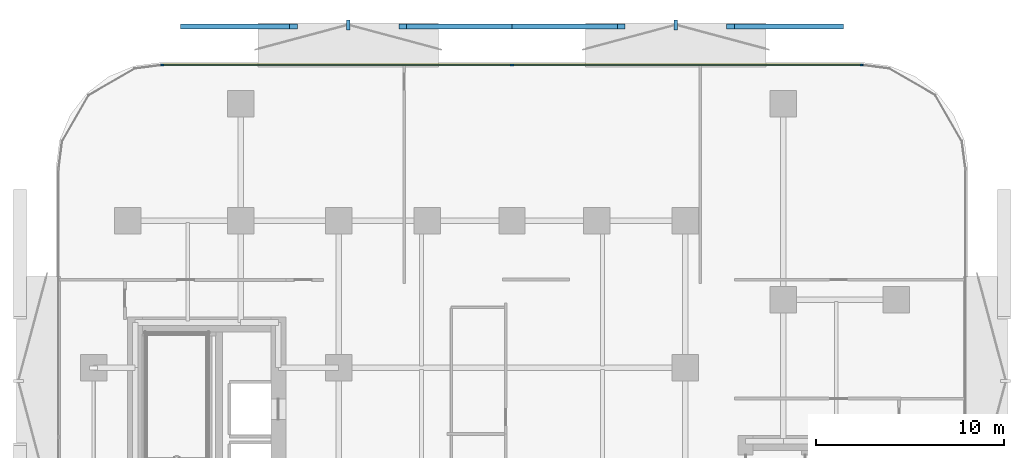
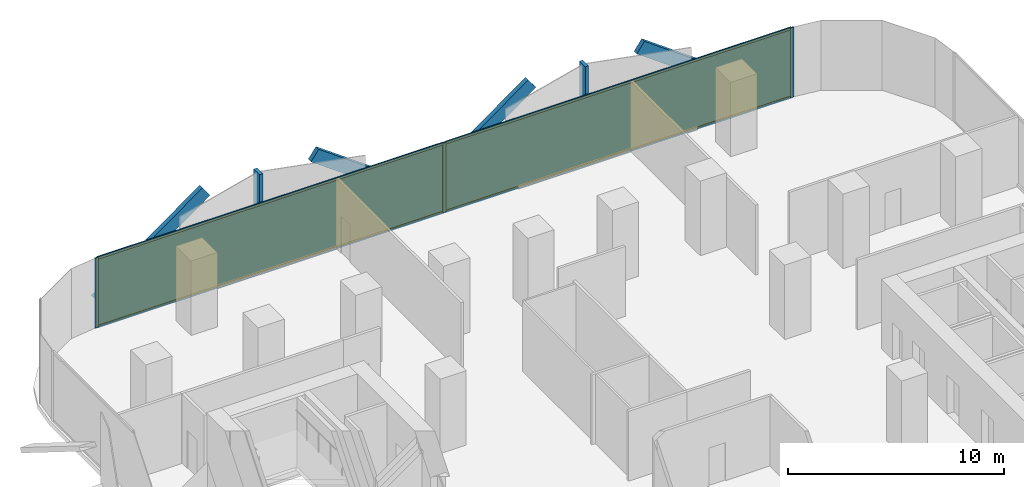
# One storey, part 10 of 15: 13 members, 2 plates, 1 curtain wall.
"""IFC4 building model written with IfcOpenShell, lengths in metres."""

from ifc_helpers import new_model, si_unit, direction, frame, frame_2d, origin, origin_2d, place, context, subcontext, project, spatial, rectangle, extrude, material, layer, layer_set, material_profile, profile_set, type_object, element, aggregate, save


model = new_model("IFC4")

# Units and contexts
model_context = context("Model", 3, precision=1e-05, world=origin(), true_north=direction((0.0, 1.0)))
body_context = subcontext(model_context, "Body", "Model", "MODEL_VIEW")
ifc_project = project(units=[si_unit("LENGTHUNIT", "METRE"), si_unit("AREAUNIT", "SQUARE_METRE"), si_unit("VOLUMEUNIT", "CUBIC_METRE"), si_unit("PLANEANGLEUNIT", "RADIAN"), si_unit("MASSUNIT", "GRAM", prefix="KILO")], contexts=[model_context])

# Member
ifc_material_1 = material(Name="Anodised Bronze Aluminium 6063-T6", Category="aluminium")
ifc_material_profile_1 = material_profile(ifc_material_1, rectangle(XDim=0.260009765625, YDim=0.699951171875, at=origin_2d()))
ifc_profile_set_1 = profile_set([ifc_material_profile_1], Name="Anodised Bronze Aluminium 6063-T6")
member_type_1 = type_object("IfcMemberType", Name="Bronze Diamond Solar-Screen Lattice Rib BDL-700", PredefinedType="MULLION", material=ifc_profile_set_1)
site_placement = place(None, origin())
building_placement = place(site_placement, origin())
storey_placement = place(building_placement, frame((0.0, 0.0, 38.60009765625)))
member_1_placement = place(storey_placement, frame((-17.390869140625, 28.89990234375, -0.130126953125), z_axis=(0.80979516686, 0.0, 0.58671269607), x_axis=(0.0, 1.0, 0.0)))
member_1 = element("IfcMember", 1, at=member_1_placement, type_object=member_type_1, Name="L09 Bronze Diamond Solar Screen Lattice Rib 29A", PredefinedType="MULLION", context=body_context, shape_type="SweptSolid", body=[
    extrude(rectangle(XDim=0.260009765625, YDim=0.699951171875, at=origin_2d()), origin(), (0.0, 0.0, 1.0), 7.158447265625),
])

member_2_placement = place(storey_placement, frame((0.0, 28.89990234375, -0.130126953125), z_axis=(-0.80979516686, 0.0, 0.58671269607), x_axis=(0.0, -1.0, 0.0)))
member_2 = element("IfcMember", 2, at=member_2_placement, type_object=member_type_1, Name="L09 Bronze Diamond Solar Screen Lattice Rib 29B", PredefinedType="MULLION", context=body_context, shape_type="SweptSolid", body=[
    extrude(rectangle(XDim=0.260009765625, YDim=0.699951171875, at=origin_2d()), origin(), (0.0, 0.0, 1.0), 7.158447265625),
])

member_3_placement = place(storey_placement, frame((0.0, 28.89990234375, -0.130126953125), z_axis=(0.80979516686, 0.0, 0.58671269607), x_axis=(0.0, 1.0, 0.0)))
member_3 = element("IfcMember", 3, at=member_3_placement, type_object=member_type_1, Name="L09 Bronze Diamond Solar Screen Lattice Rib 30A", PredefinedType="MULLION", context=body_context, shape_type="SweptSolid", body=[
    extrude(rectangle(XDim=0.260009765625, YDim=0.699951171875, at=origin_2d()), origin(), (0.0, 0.0, 1.0), 7.158447265625),
])

member_4_placement = place(storey_placement, frame((17.390869140625, 28.89990234375, -0.130126953125), z_axis=(-0.80979516686, 0.0, 0.58671269607), x_axis=(0.0, -1.0, 0.0)))
member_4 = element("IfcMember", 4, at=member_4_placement, type_object=member_type_1, Name="L09 Bronze Diamond Solar Screen Lattice Rib 30B", PredefinedType="MULLION", context=body_context, shape_type="SweptSolid", body=[
    extrude(rectangle(XDim=0.260009765625, YDim=0.699951171875, at=origin_2d()), origin(), (0.0, 0.0, 1.0), 7.158447265625),
])

ifc_material_2 = material(Name="Anodised Bronze Aluminium 6063-T6", Category="aluminium")
ifc_material_profile_2 = material_profile(ifc_material_2, rectangle(XDim=0.179931640625, YDim=0.5400390625, at=origin_2d()))
ifc_profile_set_2 = profile_set([ifc_material_profile_2], Name="Anodised Bronze Aluminium 6063-T6")
member_type_2 = type_object("IfcMemberType", Name="Bronze Solar-Screen Vertical Fold Fin BSF-540", PredefinedType="MULLION", material=ifc_profile_set_2)
member_5_placement = place(storey_placement, frame((-8.6953125, 28.97998046875, -0.130126953125), z_axis=(0.0, 0.0, 1.0), x_axis=(1.0, 0.0, 0.0)))
member_5 = element("IfcMember", 5, at=member_5_placement, type_object=member_type_2, Name="L09 Bronze Solar Screen Vertical Fin 29", PredefinedType="MULLION", context=body_context, shape_type="SweptSolid", body=[
    extrude(rectangle(XDim=0.179931640625, YDim=0.5400390625, at=origin_2d()), origin(), (0.0, 0.0, 1.0), 4.199951171875),
])

member_6_placement = place(storey_placement, frame((8.6953125, 28.97998046875, -0.130126953125), z_axis=(0.0, 0.0, 1.0), x_axis=(1.0, 0.0, 0.0)))
member_6 = element("IfcMember", 6, at=member_6_placement, type_object=member_type_2, Name="L09 Bronze Solar Screen Vertical Fin 30", PredefinedType="MULLION", context=body_context, shape_type="SweptSolid", body=[
    extrude(rectangle(XDim=0.179931640625, YDim=0.5400390625, at=origin_2d()), origin(), (0.0, 0.0, 1.0), 4.199951171875),
])

ifc_material_3 = material(Name="Anodised Bronze Aluminium 6063-T6", Category="aluminium")
ifc_material_profile_3 = material_profile(ifc_material_3, rectangle(XDim=0.06494140625, YDim=0.179931640625, at=origin_2d()))
ifc_profile_set_3 = profile_set([ifc_material_profile_3], Name="Anodised Bronze Aluminium 6063-T6")
member_type_3 = type_object("IfcMemberType", Name="CW-Z1 Mullion 65x180", PredefinedType="MULLION", material=ifc_profile_set_3)
member_7_placement = place(storey_placement, frame((-18.558349609375, 26.860107421875, 0.0), z_axis=(0.0, 0.0, 1.0), x_axis=(0.0, 1.0, 0.0)))
member_7 = element("IfcMember", 7, at=member_7_placement, type_object=member_type_3, Name="CW-Z1 mullion 1", PredefinedType="MULLION", context=body_context, shape_type="SweptSolid", body=[
    extrude(rectangle(XDim=0.06494140625, YDim=0.179931640625, at=origin_2d()), origin(), (0.0, 0.0, 1.0), 3.93994140625),
])

member_8_placement = place(storey_placement, frame((0.0, 26.860107421875, 0.0), z_axis=(0.0, 0.0, 1.0), x_axis=(0.0, 1.0, 0.0)))
member_8 = element("IfcMember", 8, at=member_8_placement, type_object=member_type_3, Name="CW-Z1 mullion 2", PredefinedType="MULLION", context=body_context, shape_type="SweptSolid", body=[
    extrude(rectangle(XDim=0.06494140625, YDim=0.179931640625, at=origin_2d()), origin(), (0.0, 0.0, 1.0), 3.93994140625),
])

member_9_placement = place(storey_placement, frame((18.558349609375, 26.860107421875, 0.0), z_axis=(0.0, 0.0, 1.0), x_axis=(0.0, 1.0, 0.0)))
member_9 = element("IfcMember", 9, at=member_9_placement, type_object=member_type_3, Name="CW-Z1 mullion 3", PredefinedType="MULLION", context=body_context, shape_type="SweptSolid", body=[
    extrude(rectangle(XDim=0.06494140625, YDim=0.179931640625, at=origin_2d()), origin(), (0.0, 0.0, 1.0), 3.93994140625),
])

ifc_material_4 = material(Name="Anodised Bronze Aluminium 6063-T6", Category="aluminium")
ifc_material_profile_4 = material_profile(ifc_material_4, rectangle(XDim=0.06494140625, YDim=0.139892578125, at=origin_2d()))
ifc_profile_set_4 = profile_set([ifc_material_profile_4], Name="Anodised Bronze Aluminium 6063-T6")
member_type_4 = type_object("IfcMemberType", Name="CW-Z1 Transom 65x140", PredefinedType="USERDEFINED", material=ifc_profile_set_4)
member_10_placement = place(storey_placement, frame((-18.52587890625, 26.860107421875, 0.032470703125), z_axis=(1.0, 0.0, 0.0), x_axis=(0.0, 1.0, 0.0)))
member_10 = element("IfcMember", 10, at=member_10_placement, type_object=member_type_4, Name="CW-Z1 transom 1.1", ObjectType="TRANSOM", PredefinedType="USERDEFINED", context=body_context, shape_type="SweptSolid", body=[
    extrude(rectangle(XDim=0.06494140625, YDim=0.139892578125, at=origin_2d()), origin(), (0.0, 0.0, 1.0), 18.493408203125),
])

member_11_placement = place(storey_placement, frame((-18.52587890625, 26.860107421875, 3.907470703125), z_axis=(1.0, 0.0, 0.0), x_axis=(0.0, 1.0, 0.0)))
member_11 = element("IfcMember", 11, at=member_11_placement, type_object=member_type_4, Name="CW-Z1 transom 1.2", ObjectType="TRANSOM", PredefinedType="USERDEFINED", context=body_context, shape_type="SweptSolid", body=[
    extrude(rectangle(XDim=0.06494140625, YDim=0.139892578125, at=origin_2d()), origin(), (0.0, 0.0, 1.0), 18.493408203125),
])

member_12_placement = place(storey_placement, frame((0.032470703125, 26.860107421875, 0.032470703125), z_axis=(1.0, 0.0, 0.0), x_axis=(0.0, 1.0, 0.0)))
member_12 = element("IfcMember", 12, at=member_12_placement, type_object=member_type_4, Name="CW-Z1 transom 2.1", ObjectType="TRANSOM", PredefinedType="USERDEFINED", context=body_context, shape_type="SweptSolid", body=[
    extrude(rectangle(XDim=0.06494140625, YDim=0.139892578125, at=origin_2d()), origin(), (0.0, 0.0, 1.0), 18.493408203125),
])

member_13_placement = place(storey_placement, frame((0.032470703125, 26.860107421875, 3.907470703125), z_axis=(1.0, 0.0, 0.0), x_axis=(0.0, 1.0, 0.0)))
member_13 = element("IfcMember", 13, at=member_13_placement, type_object=member_type_4, Name="CW-Z1 transom 2.2", ObjectType="TRANSOM", PredefinedType="USERDEFINED", context=body_context, shape_type="SweptSolid", body=[
    extrude(rectangle(XDim=0.06494140625, YDim=0.139892578125, at=origin_2d()), origin(), (0.0, 0.0, 1.0), 18.493408203125),
])

# Plate
ifc_material_5 = material(Name="Low-E Solar Control Laminated Glass", Category="glass")
ifc_layer_1 = layer(ifc_material_5, 0.028076171875, Name="Low-E Solar Control Laminated Glass")
ifc_layer_set_1 = layer_set([ifc_layer_1], Name="Low-E Solar Control Laminated Glass")
plate_type = type_object("IfcPlateType", Name="CW-Z1 Low-E Double Glazed Panel 28mm", PredefinedType="CURTAIN_PANEL", material=ifc_layer_set_1)
plate_1_placement = place(storey_placement, frame((-9.279052734375, 26.860107421875, 0.06494140625), z_axis=(0.0, 0.0, 1.0), x_axis=(1.0, 0.0, 0.0)))
plate_1 = element("IfcPlate", 14, at=plate_1_placement, type_object=plate_type, Name="CW-Z1 panel 1.1", PredefinedType="CURTAIN_PANEL", context=body_context, shape_type="SweptSolid", body=[
    extrude(rectangle(XDim=18.493408203125, YDim=0.028076171875, at=origin_2d()), origin(), (0.0, 0.0, 1.0), 3.81005859375),
])

plate_2_placement = place(storey_placement, frame((9.279052734375, 26.860107421875, 0.06494140625), z_axis=(0.0, 0.0, 1.0), x_axis=(1.0, 0.0, 0.0)))
plate_2 = element("IfcPlate", 15, at=plate_2_placement, type_object=plate_type, Name="CW-Z1 panel 2.1", PredefinedType="CURTAIN_PANEL", context=body_context, shape_type="SweptSolid", body=[
    extrude(rectangle(XDim=18.493408203125, YDim=0.028076171875, at=origin_2d()), origin(), (0.0, 0.0, 1.0), 3.81005859375),
])

# Site, building, storey
site = spatial("IfcSite", under=ifc_project, at=site_placement, CompositionType="ELEMENT")
building = spatial("IfcBuilding", under=site, at=building_placement, Name="Khairoan Windgate Tower", CompositionType="ELEMENT")
storey = spatial("IfcBuildingStorey", under=building, at=storey_placement, Name="L09", CompositionType="ELEMENT", Elevation=38.60009765625)

# Curtain wall
ifc_material_6 = material(Name="Anodised Bronze Aluminium 6063-T6", Category="aluminium")
ifc_layer_2 = layer(ifc_material_6, 0.179931640625, Name="Anodised Bronze Aluminium 6063-T6")
ifc_layer_set_2 = layer_set([ifc_layer_2], Name="Anodised Bronze Aluminium 6063-T6")
curtain_wall_type = type_object("IfcCurtainWallType", Name="Low-Rise Office Unitised Curtain Wall CW-Z1", PredefinedType="NOTDEFINED", material=ifc_layer_set_2)
curtain_wall_placement = place(storey_placement, frame((-18.5908203125, 26.860107421875, 0.0), z_axis=(0.0, 0.0, 1.0), x_axis=(1.0, 0.0, 0.0)))
curtain_wall = element("IfcCurtainWall", 16, at=curtain_wall_placement, inside=storey, type_object=curtain_wall_type, Name="L09 Unitised Curtain Wall 11", PredefinedType="NOTDEFINED", context=body_context, shape_type="SweptSolid", body=[
    extrude(rectangle(XDim=37.181640625, YDim=0.010009765625, at=frame_2d((18.5908203125, 0.0))), origin(), (0.0, 0.0, 1.0), 3.93994140625),
])

aggregate(curtain_wall, [member_7, member_8, member_9, member_10, member_11, plate_1, member_12, member_13, plate_2, member_1, member_2, member_5, member_3, member_4, member_6])

save(model, "model.ifc")
